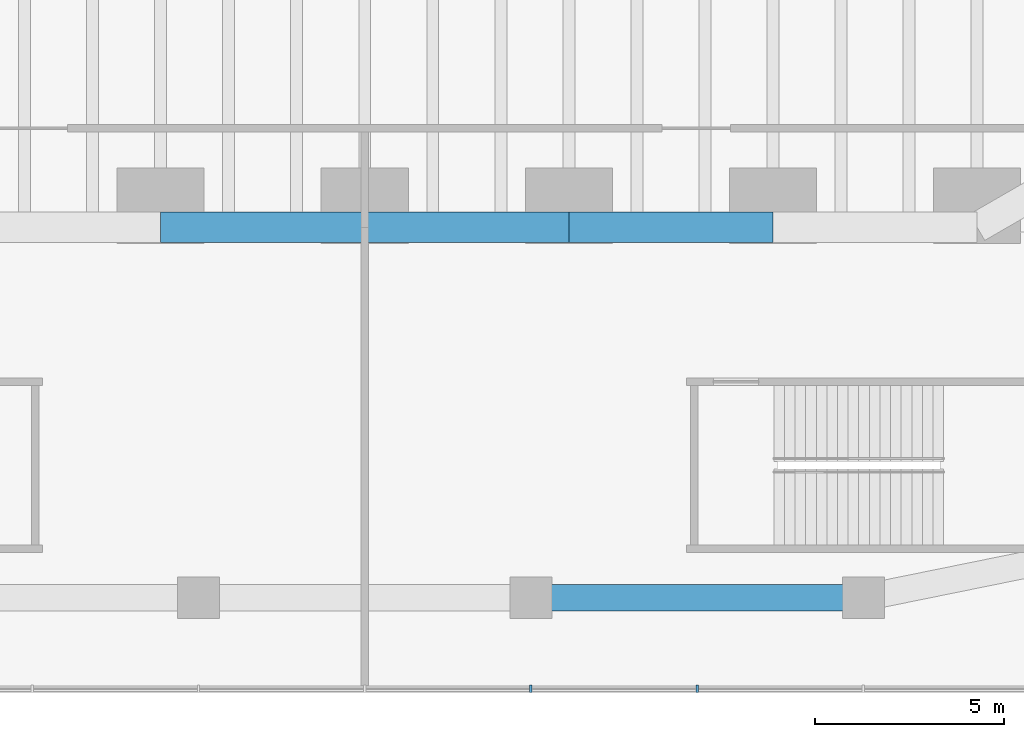
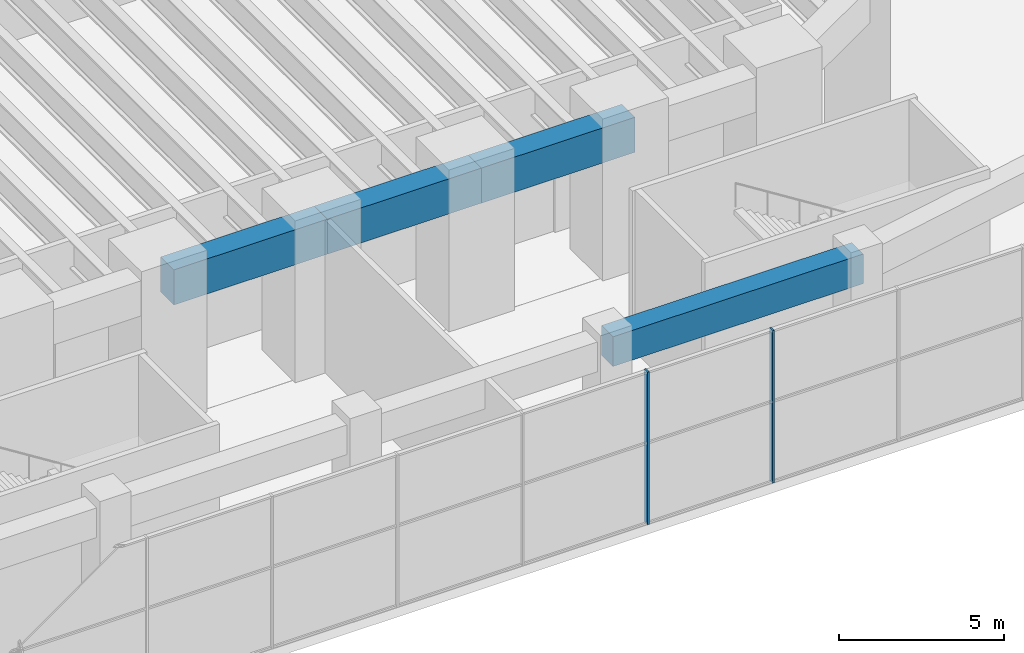
# One storey, part 7 of 31: 4 beams, 2 members, 1 element without a shape of its own.
"""IFC4 building model written with IfcOpenShell, lengths in metres."""

from ifc_helpers import new_model, si_unit, direction, frame, origin, origin_2d, place, context, subcontext, project, spatial, rectangle, extrude, material, material_profile, profile_set, type_object, element, aggregate, save


model = new_model("IFC4")

# Units and contexts
model_context = context("Model", 3, precision=1e-05, world=origin(), true_north=direction((0.0, 1.0)))
body_context = subcontext(model_context, "Body", "Model", "MODEL_VIEW")
ifc_project = project(units=[si_unit("LENGTHUNIT", "METRE"), si_unit("AREAUNIT", "SQUARE_METRE"), si_unit("VOLUMEUNIT", "CUBIC_METRE"), si_unit("PLANEANGLEUNIT", "RADIAN"), si_unit("MASSUNIT", "GRAM", prefix="KILO")], contexts=[model_context])

# Site, building, storey
site_placement = place(None, origin())
site = spatial("IfcSite", under=ifc_project, at=site_placement, CompositionType="ELEMENT")
building_placement = place(site_placement, origin())
building = spatial("IfcBuilding", under=site, at=building_placement, Name="Tarfa Lantern Tower", CompositionType="ELEMENT")
storey_placement = place(building_placement, frame((0.0, 0.0, 7.0)))
storey = spatial("IfcBuildingStorey", under=building, at=storey_placement, Name="L01", CompositionType="ELEMENT", Elevation=7.0)

# Curtain wall, members
ifc_material_1 = material(Name="Aluminium framed curtain wall", Category="aluminium")
curtain_wall_type = type_object("IfcCurtainWallType", Name="CW7 PODIUM GLAZING 5650", PredefinedType="USERDEFINED", material=ifc_material_1)
curtain_wall_placement = place(storey_placement, origin())
curtain_wall = element("IfcCurtainWall", 1, at=curtain_wall_placement, inside=storey, type_object=curtain_wall_type, Name="CW7 S L01", ObjectType="CURTAIN WALL", PredefinedType="USERDEFINED")
ifc_material_2 = material(Name="Aluminium mullion", Category="aluminium")
ifc_material_profile_1 = material_profile(ifc_material_2, rectangle(XDim=0.06494140625, YDim=0.199951171875, at=origin_2d()), Name="AL MULLION 65x200")
ifc_profile_set_1 = profile_set([ifc_material_profile_1], Name="Aluminium mullion")
member_type = type_object("IfcMemberType", Name="CWM1 MULLION 65x200", PredefinedType="MULLION", material=ifc_profile_set_1)
member_1_placement = place(storey_placement, frame((4.387939453125, -45.89990234375, 0.0), z_axis=(0.0, 0.0, 1.0), x_axis=(1.0, 0.0, 0.0)))
member_1 = element("IfcMember", 2, at=member_1_placement, type_object=member_type, Name="CW7 mullion 7", PredefinedType="MULLION", context=body_context, shape_type="SweptSolid", body=[
    extrude(rectangle(XDim=0.06494140625, YDim=0.199951171875, at=origin_2d()), origin(), (0.0, 0.0, 1.0), 5.64990234375),
])
member_2_placement = place(storey_placement, frame((8.775634765625, -45.89990234375, 0.0), z_axis=(0.0, 0.0, 1.0), x_axis=(1.0, 0.0, 0.0)))
member_2 = element("IfcMember", 3, at=member_2_placement, type_object=member_type, Name="CW7 mullion 8", PredefinedType="MULLION", context=body_context, shape_type="SweptSolid", body=[
    extrude(rectangle(XDim=0.06494140625, YDim=0.199951171875, at=origin_2d()), origin(), (0.0, 0.0, 1.0), 5.64990234375),
])
aggregate(curtain_wall, [member_1, member_2])

# Beams
ifc_material_3 = material(Name="Concrete C80/95", Category="concrete")
ifc_material_profile_2 = material_profile(ifc_material_3, rectangle(XDim=0.800048828125, YDim=1.300048828125, at=origin_2d()), Name="RC 800x1300")
ifc_profile_set_2 = profile_set([ifc_material_profile_2], Name="Concrete C80/95")
beam_type_1 = type_object("IfcBeamType", Name="EB1 RC 800x1300", PredefinedType="SPANDREL", material=ifc_profile_set_2)
for number, where, z_axis, x_axis, name in (
    (4, (-5.388671875, -33.719970703125, 5.0), (1.0, 0.0, 0.0), (0.0, 1.0, 0.0), "Edge beam S2"),
    (5, (0.0, -33.719970703125, 5.0), (1.0, 0.0, 0.0), (0.0, 1.0, 0.0), "Edge beam S3"),
):
    element("IfcBeam", number, at=place(storey_placement, frame(where, z_axis=z_axis, x_axis=x_axis)), inside=storey, type_object=beam_type_1, Name=name, PredefinedType="SPANDREL", context=body_context, shape_type="SweptSolid", body=[
        extrude(rectangle(XDim=0.800048828125, YDim=1.300048828125, at=origin_2d()), origin(), (0.0, 0.0, 1.0), 5.388671875),
    ])
beam_1_placement = place(storey_placement, frame((5.388671875, -33.719970703125, 5.0), z_axis=(1.0, 0.0, 0.0), x_axis=(0.0, 1.0, 0.0)))
element("IfcBeam", 6, at=beam_1_placement, inside=storey, type_object=beam_type_1, Name="Edge beam S4", PredefinedType="SPANDREL", context=body_context, shape_type="SweptSolid", body=[
    extrude(rectangle(XDim=0.800048828125, YDim=1.300048828125, at=origin_2d()), origin(), (0.0, 0.0, 1.0), 5.388427734375),
])
ifc_material_profile_3 = material_profile(ifc_material_3, rectangle(XDim=0.699951171875, YDim=1.10009765625, at=origin_2d()), Name="RC 700x1100")
ifc_profile_set_3 = profile_set([ifc_material_profile_3], Name="Concrete C80/95")
beam_type_2 = type_object("IfcBeamType", Name="PB1 RC 700x1100", PredefinedType="BEAM", material=ifc_profile_set_3)
beam_2_placement = place(storey_placement, frame((4.387939453125, -43.5, 5.10009765625), z_axis=(1.0, 0.0, 0.0), x_axis=(0.0, 1.0, 0.0)))
element("IfcBeam", 7, at=beam_2_placement, inside=storey, type_object=beam_type_2, Name="Podium ring beam S3", PredefinedType="BEAM", context=body_context, shape_type="SweptSolid", body=[
    extrude(rectangle(XDim=0.699951171875, YDim=1.10009765625, at=origin_2d()), origin(), (0.0, 0.0, 1.0), 8.775634765625),
])

save(model, "model.ifc")
